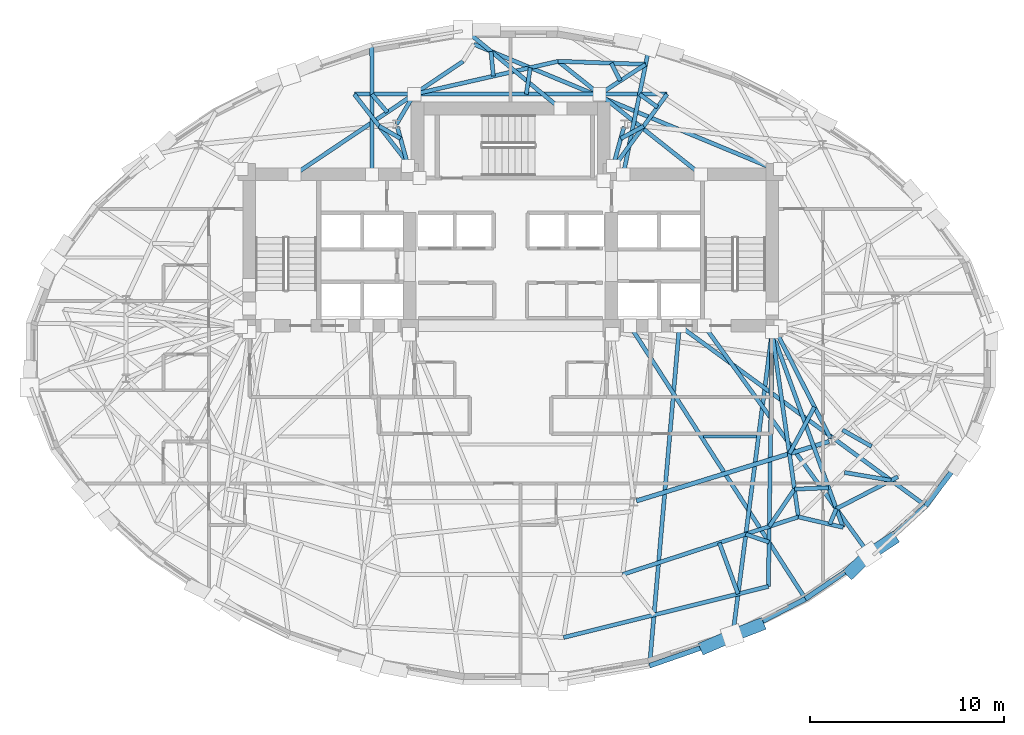
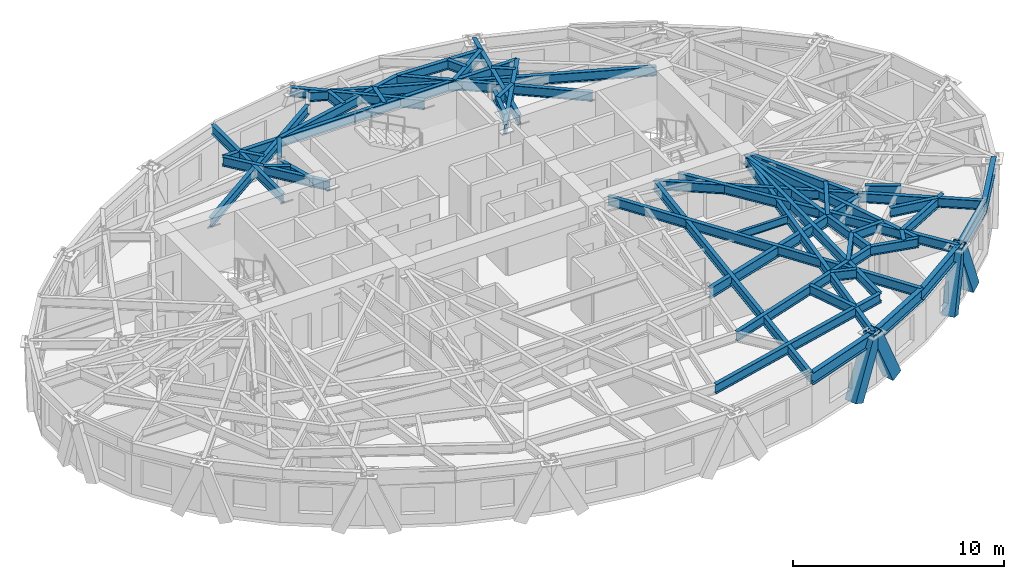
# One storey, part 3 of 14: 50 beams, 4 members.
"""IFC4 building model written with IfcOpenShell, lengths in metres."""

from ifc_helpers import new_model, si_unit, direction, frame, origin, origin_2d, place, context, subcontext, project, spatial, hollow_rectangle, i_section, extrude, material, material_profile, profile_set, type_object, element, save


model = new_model("IFC4")

# Units and contexts
model_context = context("Model", 3, precision=1e-05, world=origin(), true_north=direction((0.0, 1.0)))
body_context = subcontext(model_context, "Body", "Model", "MODEL_VIEW")
ifc_project = project(units=[si_unit("LENGTHUNIT", "METRE"), si_unit("AREAUNIT", "SQUARE_METRE"), si_unit("VOLUMEUNIT", "CUBIC_METRE"), si_unit("PLANEANGLEUNIT", "RADIAN"), si_unit("MASSUNIT", "GRAM", prefix="KILO")], contexts=[model_context])

# Site, building, storey
site_placement = place(None, origin())
site = spatial("IfcSite", under=ifc_project, at=site_placement, CompositionType="ELEMENT")
building_placement = place(site_placement, origin())
building = spatial("IfcBuilding", under=site, at=building_placement, Name="Keldmark Tower", CompositionType="ELEMENT")
storey_placement = place(building_placement, frame((0.0, 0.0, 172.60009765625)))
storey = spatial("IfcBuildingStorey", under=building, at=storey_placement, Name="L47", CompositionType="ELEMENT", Elevation=172.60009765625)

# Beam
ifc_material_1 = material(Name="Steel ASTM A992 Grade 50", Category="steel")
ifc_material_profile_1 = material_profile(ifc_material_1, i_section(OverallWidth=0.153076171875, OverallDepth=0.455078125, WebThickness=0.008056640625, FlangeThickness=0.01318359375, at=origin_2d()), Name="W18X40")
ifc_profile_set_1 = profile_set([ifc_material_profile_1], Name="Steel ASTM A992 Grade 50")
beam_type_1 = type_object("IfcBeamType", Name="Composite Floor Joist W18X40", PredefinedType="JOIST", material=ifc_profile_set_1)
beam_1_placement = place(storey_placement, frame((9.93115234375, -4.179931640625, 2.79248046875), z_axis=(1.0, 0.0, 0.0), x_axis=(0.0, 1.0, 0.0)))
element("IfcBeam", 1, at=beam_1_placement, inside=storey, type_object=beam_type_1, Name="L47 Composite Floor Joist J04", PredefinedType="JOIST", context=body_context, shape_type="SweptSolid", body=[
    extrude(i_section(OverallWidth=0.153076171875, OverallDepth=0.455078125, WebThickness=0.008056640625, FlangeThickness=0.01318359375, at=origin_2d()), origin(), (0.0, 0.0, 1.0), 2.74951171875),
])

# Members
ifc_material_2 = material(Name="Steel ASTM A572 Grade 50", Category="steel")
ifc_material_profile_2 = material_profile(ifc_material_2, hollow_rectangle(XDim=0.64990234375, YDim=0.64990234375, WallThickness=0.0400390625, at=origin_2d()), Name="BOX650X650X40")
ifc_profile_set_2 = profile_set([ifc_material_profile_2], Name="Steel ASTM A572 Grade 50")
member_type = type_object("IfcMemberType", Name="Diagrid Zone 3 Brace BOX650X650X40", PredefinedType="BRACE", material=ifc_profile_set_2)
member_1_placement = place(storey_placement, frame((10.05810546875, -15.033447265625, -0.260009765625), z_axis=(0.390561707764, 0.167163768187, 0.905272239182), x_axis=(-0.393482114759, 0.919332271469, 0.0)))
element("IfcMember", 2, at=member_1_placement, inside=storey, type_object=member_type, Name="L47 Perimeter Diagrid Brace 13B", PredefinedType="BRACE", context=body_context, shape_type="SweptSolid", body=[
    extrude(hollow_rectangle(XDim=0.64990234375, YDim=0.64990234375, WallThickness=0.0400390625, at=origin_2d()), origin(), (0.0, 0.0, 1.0), 3.490478515625),
])
member_2_placement = place(storey_placement, frame((12.776611328125, -13.921630859375, -0.260009765625), z_axis=(-0.392185371465, -0.15292145828, 0.907086358626), x_axis=(0.363281691145, -0.931679350892, 0.0)))
element("IfcMember", 3, at=member_2_placement, inside=storey, type_object=member_type, Name="L47 Perimeter Diagrid Brace 14A", PredefinedType="BRACE", context=body_context, shape_type="SweptSolid", body=[
    extrude(hollow_rectangle(XDim=0.64990234375, YDim=0.64990234375, WallThickness=0.0400390625, at=origin_2d()), origin(), (0.0, 0.0, 1.0), 3.483642578125),
])
member_3_placement = place(storey_placement, frame((17.5673828125, -11.12939453125, -0.260009765625), z_axis=(0.267682370823, 0.256992294904, 0.928601695406), x_axis=(-0.692555975601, 0.72136413874, 0.0)))
element("IfcMember", 4, at=member_3_placement, inside=storey, type_object=member_type, Name="L47 Perimeter Diagrid Brace 14B", PredefinedType="BRACE", context=body_context, shape_type="SweptSolid", body=[
    extrude(hollow_rectangle(XDim=0.64990234375, YDim=0.64990234375, WallThickness=0.0400390625, at=origin_2d()), origin(), (0.0, 0.0, 1.0), 3.40283203125),
])
member_4_placement = place(storey_placement, frame((19.623291015625, -9.5107421875, -0.260009765625), z_axis=(-0.334593004746, -0.218292895984, 0.916731003478), x_axis=(0.546408382315, -0.837518883211, 0.0)))
element("IfcMember", 5, at=member_4_placement, inside=storey, type_object=member_type, Name="L47 Perimeter Diagrid Brace 15A", PredefinedType="BRACE", context=body_context, shape_type="SweptSolid", body=[
    extrude(hollow_rectangle(XDim=0.64990234375, YDim=0.64990234375, WallThickness=0.0400390625, at=origin_2d()), origin(), (0.0, 0.0, 1.0), 3.447021484375),
])

# Beams
ifc_material_3 = material(Name="Steel ASTM A992 Grade 50", Category="steel")
ifc_material_profile_3 = material_profile(ifc_material_3, i_section(OverallWidth=0.22900390625, OverallDepth=0.612060546875, WebThickness=0.011962890625, FlangeThickness=0.01953125, at=origin_2d()), Name="W24X84")
ifc_profile_set_3 = profile_set([ifc_material_profile_3], Name="Steel ASTM A992 Grade 50")
beam_type_2 = type_object("IfcBeamType", Name="Primary Floor Girder W24X84", PredefinedType="BEAM", material=ifc_profile_set_3)
beam_2_placement = place(storey_placement, frame((6.485107421875, -7.5048828125, 2.7138671875), z_axis=(0.955494563145, 0.295008711398, 0.0), x_axis=(-0.295008711398, 0.955494563145, 0.0)))
element("IfcBeam", 6, at=beam_2_placement, inside=storey, type_object=beam_type_2, Name="L47 Floor Ring Girder FG-R10", PredefinedType="BEAM", context=body_context, shape_type="SweptSolid", body=[
    extrude(i_section(OverallWidth=0.22900390625, OverallDepth=0.612060546875, WebThickness=0.011962890625, FlangeThickness=0.01953125, at=origin_2d()), origin(), (0.0, 0.0, 1.0), 10.39013671875),
])
ifc_material_4 = material(Name="Steel ASTM A992 Grade 50", Category="steel")
ifc_material_profile_4 = material_profile(ifc_material_4, i_section(OverallWidth=0.2099609375, OverallDepth=0.537109375, WebThickness=0.010986328125, FlangeThickness=0.017333984375, at=origin_2d()), Name="W21X68")
ifc_profile_set_4 = profile_set([ifc_material_profile_4], Name="Steel ASTM A992 Grade 50")
beam_type_3 = type_object("IfcBeamType", Name="Radial Tie Girder W21X68", PredefinedType="BEAM", material=ifc_profile_set_4)
for number, where, z_axis, x_axis, name in (
    (7, (5.843017578125, 11.7802734375, 2.75146484375), (-0.265992411, -0.963975122755, 0.0), (0.963975122755, -0.265992411, 0.0), "L47 Floor Radial Girder FG-C03"),
    (8, (-5.843017578125, 11.7802734375, 2.75146484375), (0.265992411, -0.963975122755, 0.0), (0.963975122755, 0.265992411, 0.0), "L47 Floor Radial Girder FG-C04"),
):
    element("IfcBeam", number, at=place(storey_placement, frame(where, z_axis=z_axis, x_axis=x_axis)), inside=storey, type_object=beam_type_3, Name=name, PredefinedType="BEAM", context=body_context, shape_type="SweptSolid", body=[
        extrude(i_section(OverallWidth=0.2099609375, OverallDepth=0.537109375, WebThickness=0.010986328125, FlangeThickness=0.017333984375, at=origin_2d()), origin(), (0.0, 0.0, 1.0), 2.09716796875),
    ])
beam_3_placement = place(storey_placement, frame((16.4833984375, -4.273681640625, 2.75146484375), z_axis=(-0.453036691775, 0.891491870914, 0.0), x_axis=(-0.891491870914, -0.453036691775, 0.0)))
element("IfcBeam", 9, at=beam_3_placement, inside=storey, type_object=beam_type_3, Name="L47 Floor Radial Girder FG-C11", PredefinedType="BEAM", context=body_context, shape_type="SweptSolid", body=[
    extrude(i_section(OverallWidth=0.2099609375, OverallDepth=0.537109375, WebThickness=0.010986328125, FlangeThickness=0.017333984375, at=origin_2d()), origin(), (0.0, 0.0, 1.0), 6.044189453125),
])
beam_4_placement = place(storey_placement, frame((5.675537109375, 11.173828125, 2.75146484375), z_axis=(0.879231743918, 0.47639431198, 0.0), x_axis=(-0.47639431198, 0.879231743918, 0.0)))
element("IfcBeam", 10, at=beam_4_placement, inside=storey, type_object=beam_type_3, Name="L47 Framing Pin Header PH-001", PredefinedType="BEAM", context=body_context, shape_type="SweptSolid", body=[
    extrude(i_section(OverallWidth=0.2099609375, OverallDepth=0.537109375, WebThickness=0.010986328125, FlangeThickness=0.017333984375, at=origin_2d()), origin(), (0.0, 0.0, 1.0), 1.34423828125),
])
beam_5_placement = place(storey_placement, frame((4.800048828125, 9.0, 2.75146484375), z_axis=(0.590150611017, 0.807293166276, 0.0), x_axis=(-0.807293166276, 0.590150611017, 0.0)))
element("IfcBeam", 11, at=beam_5_placement, inside=storey, type_object=beam_type_3, Name="L47 Sub-Ring Step Girder STP1-M02", PredefinedType="BEAM", context=body_context, shape_type="SweptSolid", body=[
    extrude(i_section(OverallWidth=0.2099609375, OverallDepth=0.537109375, WebThickness=0.010986328125, FlangeThickness=0.017333984375, at=origin_2d()), origin(), (0.0, 0.0, 1.0), 5.526123046875),
])
beam_6_placement = place(storey_placement, frame((-5.675537109375, 11.173828125, 2.75146484375), z_axis=(-0.86369623553, 0.504012710883, 0.0), x_axis=(-0.504012710883, -0.86369623553, 0.0)))
element("IfcBeam", 12, at=beam_6_placement, inside=storey, type_object=beam_type_3, Name="L47 Framing Pin Header PH-002", PredefinedType="BEAM", context=body_context, shape_type="SweptSolid", body=[
    extrude(i_section(OverallWidth=0.2099609375, OverallDepth=0.537109375, WebThickness=0.010986328125, FlangeThickness=0.017333984375, at=origin_2d()), origin(), (0.0, 0.0, 1.0), 1.28564453125),
])
beam_7_placement = place(storey_placement, frame((-4.699951171875, 9.139892578125, 2.75146484375), z_axis=(-0.613977660612, 0.789323401572, 0.0), x_axis=(-0.789323401572, -0.613977660612, 0.0)))
element("IfcBeam", 13, at=beam_7_placement, inside=storey, type_object=beam_type_3, Name="L47 Sub-Ring Step Girder STP1-M05", PredefinedType="BEAM", context=body_context, shape_type="SweptSolid", body=[
    extrude(i_section(OverallWidth=0.2099609375, OverallDepth=0.537109375, WebThickness=0.010986328125, FlangeThickness=0.017333984375, at=origin_2d()), origin(), (0.0, 0.0, 1.0), 5.474609375),
])
beam_8_placement = place(storey_placement, frame((15.661865234375, -2.6572265625, 2.75146484375), z_axis=(-0.472216463821, -0.881482621097, 0.0), x_axis=(0.881482621097, -0.472216463821, 0.0)))
element("IfcBeam", 14, at=beam_8_placement, inside=storey, type_object=beam_type_3, Name="L47 Framing Pin Header PH-007", PredefinedType="BEAM", context=body_context, shape_type="SweptSolid", body=[
    extrude(i_section(OverallWidth=0.2099609375, OverallDepth=0.537109375, WebThickness=0.010986328125, FlangeThickness=0.017333984375, at=origin_2d()), origin(), (0.0, 0.0, 1.0), 2.738037109375),
])
beam_9_placement = place(storey_placement, frame((13.47509765625, 1.199951171875, 2.75146484375), z_axis=(0.141130161361, -0.989991049229, 0.0), x_axis=(0.989991049229, 0.141130161361, 0.0)))
element("IfcBeam", 15, at=beam_9_placement, inside=storey, type_object=beam_type_3, Name="L47 Sub-Ring Step Girder STP1-M11", PredefinedType="BEAM", context=body_context, shape_type="SweptSolid", body=[
    extrude(i_section(OverallWidth=0.2099609375, OverallDepth=0.537109375, WebThickness=0.010986328125, FlangeThickness=0.017333984375, at=origin_2d()), origin(), (0.0, 0.0, 1.0), 9.625244140625),
])
beam_10_placement = place(storey_placement, frame((8.061279296875, 13.461181640625, 2.75146484375), z_axis=(-1.0, 0.0, 0.0), x_axis=(0.0, -1.0, 0.0)))
element("IfcBeam", 16, at=beam_10_placement, inside=storey, type_object=beam_type_3, Name="L47 Perimeter Collector Ring Beam CRG1-M02", PredefinedType="BEAM", context=body_context, shape_type="SweptSolid", body=[
    extrude(i_section(OverallWidth=0.2099609375, OverallDepth=0.537109375, WebThickness=0.010986328125, FlangeThickness=0.017333984375, at=origin_2d()), origin(), (0.0, 0.0, 1.0), 16.12255859375),
])
beam_11_placement = place(storey_placement, frame((5.77734375, -11.294921875, 2.75146484375), z_axis=(0.950327843465, 0.311250686641, 0.0), x_axis=(-0.311250686641, 0.950327843465, 0.0)))
element("IfcBeam", 17, at=beam_11_placement, inside=storey, type_object=beam_type_3, Name="L47 Perimeter Collector Ring Beam CRG1-M10", PredefinedType="BEAM", context=body_context, shape_type="SweptSolid", body=[
    extrude(i_section(OverallWidth=0.2099609375, OverallDepth=0.537109375, WebThickness=0.010986328125, FlangeThickness=0.017333984375, at=origin_2d()), origin(), (0.0, 0.0, 1.0), 9.529541015625),
])
beam_12_placement = place(storey_placement, frame((14.629638671875, -6.8994140625, 2.75146484375), z_axis=(-0.560319981777, -0.82827623292, 0.0), x_axis=(0.82827623292, -0.560319981777, 0.0)))
element("IfcBeam", 18, at=beam_12_placement, inside=storey, type_object=beam_type_3, Name="L47 Framing Pin Header PH-013", PredefinedType="BEAM", context=body_context, shape_type="SweptSolid", body=[
    extrude(i_section(OverallWidth=0.2099609375, OverallDepth=0.537109375, WebThickness=0.010986328125, FlangeThickness=0.017333984375, at=origin_2d()), origin(), (0.0, 0.0, 1.0), 2.320556640625),
])
beam_13_placement = place(storey_placement, frame((13.47509765625, 1.199951171875, 2.75146484375), z_axis=(-0.014558400349, -0.999894020874, 0.0), x_axis=(0.999894020874, -0.014558400349, 0.0)))
element("IfcBeam", 19, at=beam_13_placement, inside=storey, type_object=beam_type_3, Name="L47 Sub-Ring Step Girder STP2-M11", PredefinedType="BEAM", context=body_context, shape_type="SweptSolid", body=[
    extrude(i_section(OverallWidth=0.2099609375, OverallDepth=0.537109375, WebThickness=0.010986328125, FlangeThickness=0.017333984375, at=origin_2d()), origin(), (0.0, 0.0, 1.0), 13.114013671875),
])
beam_14_placement = place(storey_placement, frame((2.728515625, -14.544921875, 2.75146484375), z_axis=(0.970284902679, 0.241965302541, 0.0), x_axis=(-0.241965302541, 0.970284902679, 0.0)))
element("IfcBeam", 20, at=beam_14_placement, inside=storey, type_object=beam_type_3, Name="L47 Perimeter Collector Ring Beam CRG2-M10", PredefinedType="BEAM", context=body_context, shape_type="SweptSolid", body=[
    extrude(i_section(OverallWidth=0.2099609375, OverallDepth=0.537109375, WebThickness=0.010986328125, FlangeThickness=0.017333984375, at=origin_2d()), origin(), (0.0, 0.0, 1.0), 10.87890625),
])
beam_15_placement = place(storey_placement, frame((7.572021484375, 12.7919921875, 2.75146484375), z_axis=(-0.810808718203, 0.585311218487, 0.0), x_axis=(-0.585311218487, -0.810808718203, 0.0)))
element("IfcBeam", 21, at=beam_15_placement, inside=storey, type_object=beam_type_3, Name="L47 Framing Pin Header PH-018", PredefinedType="BEAM", context=body_context, shape_type="SweptSolid", body=[
    extrude(i_section(OverallWidth=0.2099609375, OverallDepth=0.537109375, WebThickness=0.010986328125, FlangeThickness=0.017333984375, at=origin_2d()), origin(), (0.0, 0.0, 1.0), 1.143310546875),
])
beam_16_placement = place(storey_placement, frame((5.80712890625, 9.324951171875, 2.75146484375), z_axis=(0.198562849301, 0.980088156687, 0.0), x_axis=(-0.980088156687, 0.198562849301, 0.0)))
element("IfcBeam", 22, at=beam_16_placement, inside=storey, type_object=beam_type_3, Name="L47 Perimeter Radial Tie Girder RT-07", PredefinedType="BEAM", context=body_context, shape_type="SweptSolid", body=[
    extrude(i_section(OverallWidth=0.2099609375, OverallDepth=0.537109375, WebThickness=0.010986328125, FlangeThickness=0.017333984375, at=origin_2d()), origin(), (0.0, 0.0, 1.0), 6.810302734375),
])
beam_17_placement = place(storey_placement, frame((6.95654296875, 14.99853515625, 2.75146484375), z_axis=(-0.839066810669, -0.54402838826, 0.0), x_axis=(0.54402838826, -0.839066810669, 0.0)))
element("IfcBeam", 23, at=beam_17_placement, inside=storey, type_object=beam_type_3, Name="L47 Framing Pin Header PH-019", PredefinedType="BEAM", context=body_context, shape_type="SweptSolid", body=[
    extrude(i_section(OverallWidth=0.2099609375, OverallDepth=0.537109375, WebThickness=0.010986328125, FlangeThickness=0.017333984375, at=origin_2d()), origin(), (0.0, 0.0, 1.0), 2.825927734375),
])
beam_18_placement = place(storey_placement, frame((9.8037109375, 9.324951171875, 2.75146484375), z_axis=(-0.783667514852, 0.62118051013, 0.0), x_axis=(-0.62118051013, -0.783667514852, 0.0)))
element("IfcBeam", 24, at=beam_18_placement, inside=storey, type_object=beam_type_3, Name="L47 Intermediate Radial Step Girder RT-08M", PredefinedType="BEAM", context=body_context, shape_type="SweptSolid", body=[
    extrude(i_section(OverallWidth=0.2099609375, OverallDepth=0.537109375, WebThickness=0.010986328125, FlangeThickness=0.017333984375, at=origin_2d()), origin(), (0.0, 0.0, 1.0), 9.38623046875),
])
beam_19_placement = place(storey_placement, frame((6.95654296875, 14.99853515625, 2.75146484375), z_axis=(-0.999394373901, 0.034797778871, 0.0), x_axis=(-0.034797778871, -0.999394373901, 0.0)))
element("IfcBeam", 25, at=beam_19_placement, inside=storey, type_object=beam_type_3, Name="L47 Local Collector Chord RT-08C", PredefinedType="BEAM", context=body_context, shape_type="SweptSolid", body=[
    extrude(i_section(OverallWidth=0.2099609375, OverallDepth=0.537109375, WebThickness=0.010986328125, FlangeThickness=0.017333984375, at=origin_2d()), origin(), (0.0, 0.0, 1.0), 4.51123046875),
])
beam_20_placement = place(storey_placement, frame((5.652587890625, 14.153076171875, 2.75146484375), z_axis=(-0.454963231285, 0.890510223511, 0.0), x_axis=(-0.890510223511, -0.454963231285, 0.0)))
element("IfcBeam", 26, at=beam_20_placement, inside=storey, type_object=beam_type_3, Name="L47 Framing Pin Header PH-020", PredefinedType="BEAM", context=body_context, shape_type="SweptSolid", body=[
    extrude(i_section(OverallWidth=0.2099609375, OverallDepth=0.537109375, WebThickness=0.010986328125, FlangeThickness=0.017333984375, at=origin_2d()), origin(), (0.0, 0.0, 1.0), 1.0185546875),
])
beam_21_placement = place(storey_placement, frame((-5.880126953125, 11.915283203125, 2.75146484375), z_axis=(0.506341487531, 0.86233305515, 0.0), x_axis=(-0.86233305515, 0.506341487531, 0.0)))
element("IfcBeam", 27, at=beam_21_placement, inside=storey, type_object=beam_type_3, Name="L47 Framing Pin Header PH-021", PredefinedType="BEAM", context=body_context, shape_type="SweptSolid", body=[
    extrude(i_section(OverallWidth=0.2099609375, OverallDepth=0.537109375, WebThickness=0.010986328125, FlangeThickness=0.017333984375, at=origin_2d()), origin(), (0.0, 0.0, 1.0), 1.792724609375),
])
beam_22_placement = place(storey_placement, frame((-11.1357421875, 9.324951171875, 2.75146484375), z_axis=(0.830337585436, 0.557260705786, 0.0), x_axis=(-0.557260705786, 0.830337585436, 0.0)))
element("IfcBeam", 28, at=beam_22_placement, inside=storey, type_object=beam_type_3, Name="L47 Intermediate Radial Step Girder RT-09M", PredefinedType="BEAM", context=body_context, shape_type="SweptSolid", body=[
    extrude(i_section(OverallWidth=0.2099609375, OverallDepth=0.537109375, WebThickness=0.010986328125, FlangeThickness=0.017333984375, at=origin_2d()), origin(), (0.0, 0.0, 1.0), 10.462890625),
])
beam_23_placement = place(storey_placement, frame((-6.357421875, 12.53173828125, 2.75146484375), z_axis=(-0.649738350225, 0.76015792849, 0.0), x_axis=(-0.76015792849, -0.649738350225, 0.0)))
element("IfcBeam", 29, at=beam_23_placement, inside=storey, type_object=beam_type_3, Name="L47 Framing Pin Header PH-022", PredefinedType="BEAM", context=body_context, shape_type="SweptSolid", body=[
    extrude(i_section(OverallWidth=0.2099609375, OverallDepth=0.537109375, WebThickness=0.010986328125, FlangeThickness=0.017333984375, at=origin_2d()), origin(), (0.0, 0.0, 1.0), 1.22265625),
])
beam_24_placement = place(storey_placement, frame((-7.139404296875, 9.324951171875, 2.75146484375), z_axis=(-0.002999254981, 0.999995502225, 0.0), x_axis=(-0.999995502225, -0.002999254981, 0.0)))
element("IfcBeam", 30, at=beam_24_placement, inside=storey, type_object=beam_type_3, Name="L47 Perimeter Radial Tie Girder RT-10", PredefinedType="BEAM", context=body_context, shape_type="SweptSolid", body=[
    extrude(i_section(OverallWidth=0.2099609375, OverallDepth=0.537109375, WebThickness=0.010986328125, FlangeThickness=0.017333984375, at=origin_2d()), origin(), (0.0, 0.0, 1.0), 6.6748046875),
])
beam_25_placement = place(storey_placement, frame((8.699951171875, 1.52490234375, 2.75146484375), z_axis=(-0.087568577951, -0.996158493492, 0.0), x_axis=(0.996158493492, -0.087568577951, 0.0)))
element("IfcBeam", 31, at=beam_25_placement, inside=storey, type_object=beam_type_3, Name="L47 Perimeter Radial Tie Girder RT-26", PredefinedType="BEAM", context=body_context, shape_type="SweptSolid", body=[
    extrude(i_section(OverallWidth=0.2099609375, OverallDepth=0.537109375, WebThickness=0.010986328125, FlangeThickness=0.017333984375, at=origin_2d()), origin(), (0.0, 0.0, 1.0), 17.59228515625),
])
beam_26_placement = place(storey_placement, frame((10.75830078125, -9.66357421875, 2.75146484375), z_axis=(0.343960984524, -0.938983940824, 0.0), x_axis=(0.938983940824, 0.343960984524, 0.0)))
element("IfcBeam", 32, at=beam_26_placement, inside=storey, type_object=beam_type_3, Name="L47 Framing Pin Header PH-037", PredefinedType="BEAM", context=body_context, shape_type="SweptSolid", body=[
    extrude(i_section(OverallWidth=0.2099609375, OverallDepth=0.537109375, WebThickness=0.010986328125, FlangeThickness=0.017333984375, at=origin_2d()), origin(), (0.0, 0.0, 1.0), 2.809326171875),
])
beam_27_placement = place(storey_placement, frame((13.47509765625, 1.199951171875, 2.75146484375), z_axis=(-0.128569468775, -0.991700505041, 0.0), x_axis=(0.991700505041, -0.128569468775, 0.0)))
element("IfcBeam", 33, at=beam_27_placement, inside=storey, type_object=beam_type_3, Name="L47 Perimeter Radial Tie Girder RT-27", PredefinedType="BEAM", context=body_context, shape_type="SweptSolid", body=[
    extrude(i_section(OverallWidth=0.2099609375, OverallDepth=0.537109375, WebThickness=0.010986328125, FlangeThickness=0.017333984375, at=origin_2d()), origin(), (0.0, 0.0, 1.0), 15.838623046875),
])
beam_28_placement = place(storey_placement, frame((12.11669921875, -9.21875, 2.75146484375), z_axis=(0.946309663512, -0.323261536133, 0.0), x_axis=(0.323261536133, 0.946309663512, 0.0)))
element("IfcBeam", 34, at=beam_28_placement, inside=storey, type_object=beam_type_3, Name="L47 Framing Pin Header PH-038", PredefinedType="BEAM", context=body_context, shape_type="SweptSolid", body=[
    extrude(i_section(OverallWidth=0.2099609375, OverallDepth=0.537109375, WebThickness=0.010986328125, FlangeThickness=0.017333984375, at=origin_2d()), origin(), (0.0, 0.0, 1.0), 1.268798828125),
])
beam_29_placement = place(storey_placement, frame((6.14990234375, 1.52490234375, 2.75146484375), z_axis=(0.540611575581, -0.841272324725, 0.0), x_axis=(0.841272324725, 0.540611575581, 0.0)))
element("IfcBeam", 35, at=beam_29_placement, inside=storey, type_object=beam_type_3, Name="L47 Perimeter Radial Tie Girder RT-28", PredefinedType="BEAM", context=body_context, shape_type="SweptSolid", body=[
    extrude(i_section(OverallWidth=0.2099609375, OverallDepth=0.537109375, WebThickness=0.010986328125, FlangeThickness=0.017333984375, at=origin_2d()), origin(), (0.0, 0.0, 1.0), 16.733154296875),
])
beam_30_placement = place(storey_placement, frame((14.629638671875, -6.8994140625, 2.75146484375), z_axis=(0.999127793147, 0.04175707079, 0.0), x_axis=(-0.04175707079, 0.999127793147, 0.0)))
element("IfcBeam", 36, at=beam_30_placement, inside=storey, type_object=beam_type_3, Name="L47 Framing Pin Header PH-039", PredefinedType="BEAM", context=body_context, shape_type="SweptSolid", body=[
    extrude(i_section(OverallWidth=0.2099609375, OverallDepth=0.537109375, WebThickness=0.010986328125, FlangeThickness=0.017333984375, at=origin_2d()), origin(), (0.0, 0.0, 1.0), 1.765625),
])
beam_31_placement = place(storey_placement, frame((13.47509765625, 1.199951171875, 2.75146484375), z_axis=(0.341779652377, -0.939780117486, 0.0), x_axis=(0.939780117486, 0.341779652377, 0.0)))
element("IfcBeam", 37, at=beam_31_placement, inside=storey, type_object=beam_type_3, Name="L47 Intermediate Radial Step Girder RT-29M", PredefinedType="BEAM", context=body_context, shape_type="SweptSolid", body=[
    extrude(i_section(OverallWidth=0.2099609375, OverallDepth=0.537109375, WebThickness=0.010986328125, FlangeThickness=0.017333984375, at=origin_2d()), origin(), (0.0, 0.0, 1.0), 10.71484375),
])
beam_32_placement = place(storey_placement, frame((14.83349609375, -8.328857421875, 2.75146484375), z_axis=(0.973537458296, -0.228527497894, 0.0), x_axis=(0.228527497894, 0.973537458296, 0.0)))
element("IfcBeam", 38, at=beam_32_placement, inside=storey, type_object=beam_type_3, Name="L47 Local Collector Chord RT-29C", PredefinedType="BEAM", context=body_context, shape_type="SweptSolid", body=[
    extrude(i_section(OverallWidth=0.2099609375, OverallDepth=0.537109375, WebThickness=0.010986328125, FlangeThickness=0.017333984375, at=origin_2d()), origin(), (0.0, 0.0, 1.0), 2.3662109375),
])
beam_33_placement = place(storey_placement, frame((16.446044921875, -8.70751953125, 2.75146484375), z_axis=(0.392055613274, 0.919941517761, 0.0), x_axis=(-0.919941517761, 0.392055613274, 0.0)))
element("IfcBeam", 39, at=beam_33_placement, inside=storey, type_object=beam_type_3, Name="L47 Framing Pin Header PH-040", PredefinedType="BEAM", context=body_context, shape_type="SweptSolid", body=[
    extrude(i_section(OverallWidth=0.2099609375, OverallDepth=0.537109375, WebThickness=0.010986328125, FlangeThickness=0.017333984375, at=origin_2d()), origin(), (0.0, 0.0, 1.0), 0.869873046875),
])
beam_34_placement = place(storey_placement, frame((9.97509765625, 1.52490234375, 2.75146484375), z_axis=(0.585488720754, -0.810680552295, 0.0), x_axis=(0.810680552295, 0.585488720754, 0.0)))
element("IfcBeam", 40, at=beam_34_placement, inside=storey, type_object=beam_type_3, Name="L47 Perimeter Radial Tie Girder RT-29", PredefinedType="BEAM", context=body_context, shape_type="SweptSolid", body=[
    extrude(i_section(OverallWidth=0.2099609375, OverallDepth=0.537109375, WebThickness=0.010986328125, FlangeThickness=0.017333984375, at=origin_2d()), origin(), (0.0, 0.0, 1.0), 14.588134765625),
])
beam_35_placement = place(storey_placement, frame((17.10888671875, -3.8486328125, 2.75146484375), z_axis=(0.869377490553, -0.494148539327, 0.0), x_axis=(0.494148539327, 0.869377490553, 0.0)))
element("IfcBeam", 41, at=beam_35_placement, inside=storey, type_object=beam_type_3, Name="L47 Framing Pin Header PH-041", PredefinedType="BEAM", context=body_context, shape_type="SweptSolid", body=[
    extrude(i_section(OverallWidth=0.2099609375, OverallDepth=0.537109375, WebThickness=0.010986328125, FlangeThickness=0.017333984375, at=origin_2d()), origin(), (0.0, 0.0, 1.0), 1.71826171875),
])
beam_36_placement = place(storey_placement, frame((16.787109375, -7.9072265625, 2.75146484375), z_axis=(0.88803123841, 0.459783122362, 0.0), x_axis=(-0.459783122362, 0.88803123841, 0.0)))
element("IfcBeam", 42, at=beam_36_placement, inside=storey, type_object=beam_type_3, Name="L47 Local Collector Chord RT-30C", PredefinedType="BEAM", context=body_context, shape_type="SweptSolid", body=[
    extrude(i_section(OverallWidth=0.2099609375, OverallDepth=0.537109375, WebThickness=0.010986328125, FlangeThickness=0.017333984375, at=origin_2d()), origin(), (0.0, 0.0, 1.0), 3.57666015625),
])
beam_37_placement = place(storey_placement, frame((17.210205078125, -6.039306640625, 2.75146484375), z_axis=(0.985951161443, -0.167033850611, 0.0), x_axis=(0.167033850611, 0.985951161443, 0.0)))
element("IfcBeam", 43, at=beam_37_placement, inside=storey, type_object=beam_type_3, Name="L47 Framing Pin Header PH-042", PredefinedType="BEAM", context=body_context, shape_type="SweptSolid", body=[
    extrude(i_section(OverallWidth=0.2099609375, OverallDepth=0.537109375, WebThickness=0.010986328125, FlangeThickness=0.017333984375, at=origin_2d()), origin(), (0.0, 0.0, 1.0), 2.43359375),
])
beam_38_placement = place(storey_placement, frame((8.699951171875, 1.52490234375, 2.75146484375), z_axis=(0.807445436703, -0.589942257131, 0.0), x_axis=(0.589942257131, 0.807445436703, 0.0)))
element("IfcBeam", 44, at=beam_38_placement, inside=storey, type_object=beam_type_3, Name="L47 Perimeter Radial Tie Girder RT-30", PredefinedType="BEAM", context=body_context, shape_type="SweptSolid", body=[
    extrude(i_section(OverallWidth=0.2099609375, OverallDepth=0.537109375, WebThickness=0.010986328125, FlangeThickness=0.017333984375, at=origin_2d()), origin(), (0.0, 0.0, 1.0), 15.729248046875),
])
beam_39_placement = place(storey_placement, frame((2.447998046875, 15.155517578125, 2.75146484375), z_axis=(-0.974908648351, -0.222605317482, 0.0), x_axis=(0.222605317482, -0.974908648351, 0.0)))
element("IfcBeam", 45, at=beam_39_placement, inside=storey, type_object=beam_type_3, Name="L47 Straddling Support Chord RT-09RB", PredefinedType="BEAM", context=body_context, shape_type="SweptSolid", body=[
    extrude(i_section(OverallWidth=0.2099609375, OverallDepth=0.537109375, WebThickness=0.010986328125, FlangeThickness=0.017333984375, at=origin_2d()), origin(), (0.0, 0.0, 1.0), 7.611328125),
])
beam_40_placement = place(storey_placement, frame((0.80615234375, 13.461181640625, 2.75146484375), z_axis=(0.148962564471, 0.988842836039, 0.0), x_axis=(-0.988842836039, 0.148962564471, 0.0)))
element("IfcBeam", 46, at=beam_40_placement, inside=storey, type_object=beam_type_3, Name="L47 Framing Pin Header PH-045", PredefinedType="BEAM", context=body_context, shape_type="SweptSolid", body=[
    extrude(i_section(OverallWidth=0.2099609375, OverallDepth=0.537109375, WebThickness=0.010986328125, FlangeThickness=0.017333984375, at=origin_2d()), origin(), (0.0, 0.0, 1.0), 1.381591796875),
])
beam_41_placement = place(storey_placement, frame((13.47509765625, 9.64990234375, 2.75146484375), z_axis=(-0.923482967683, 0.383639424981, 0.0), x_axis=(-0.383639424981, -0.923482967683, 0.0)))
element("IfcBeam", 47, at=beam_41_placement, inside=storey, type_object=beam_type_3, Name="L47 Crown Step Radial Girder RT-09RN2", PredefinedType="BEAM", context=body_context, shape_type="SweptSolid", body=[
    extrude(i_section(OverallWidth=0.2099609375, OverallDepth=0.537109375, WebThickness=0.010986328125, FlangeThickness=0.017333984375, at=origin_2d()), origin(), (0.0, 0.0, 1.0), 16.64697265625),
])
beam_42_placement = place(storey_placement, frame((-0.89111328125, 14.39306640625, 2.75146484375), z_axis=(-0.09578860812, 0.995401699092, 0.0), x_axis=(-0.995401699092, -0.09578860812, 0.0)))
element("IfcBeam", 48, at=beam_42_placement, inside=storey, type_object=beam_type_3, Name="L47 Framing Pin Header PH-046", PredefinedType="BEAM", context=body_context, shape_type="SweptSolid", body=[
    extrude(i_section(OverallWidth=0.2099609375, OverallDepth=0.537109375, WebThickness=0.010986328125, FlangeThickness=0.017333984375, at=origin_2d()), origin(), (0.0, 0.0, 1.0), 1.281982421875),
])
beam_43_placement = place(storey_placement, frame((2.5625, 12.72509765625, 2.75146484375), z_axis=(-0.772064872818, 0.635543729542, 0.0), x_axis=(-0.635543729542, -0.772064872818, 0.0)))
element("IfcBeam", 49, at=beam_43_placement, inside=storey, type_object=beam_type_3, Name="L47 Perimeter Radial Tie Girder RT-09R", PredefinedType="BEAM", context=body_context, shape_type="SweptSolid", body=[
    extrude(i_section(OverallWidth=0.2099609375, OverallDepth=0.537109375, WebThickness=0.010986328125, FlangeThickness=0.017333984375, at=origin_2d()), origin(), (0.0, 0.0, 1.0), 6.48974609375),
])
ifc_material_5 = material(Name="Steel ASTM A992 Grade 50", Category="steel")
ifc_material_profile_5 = material_profile(ifc_material_5, i_section(OverallWidth=0.256103515625, OverallDepth=0.693115234375, WebThickness=0.014404296875, FlangeThickness=0.023681640625, at=origin_2d()), Name="W27X114")
ifc_profile_set_5 = profile_set([ifc_material_profile_5], Name="Steel ASTM A992 Grade 50")
beam_type_4 = type_object("IfcBeamType", Name="Spandrel Ring Beam W27X114", PredefinedType="SPANDREL", material=ifc_profile_set_5)
beam_44_placement = place(storey_placement, frame((7.159423828125, -15.999755859375, 2.67333984375), z_axis=(0.944223944927, 0.329304026434, 0.0), x_axis=(-0.329304026434, 0.944223944927, 0.0)))
element("IfcBeam", 50, at=beam_44_placement, inside=storey, type_object=beam_type_4, Name="L47 Perimeter Spandrel Ring Beam SRB-26", PredefinedType="SPANDREL", context=body_context, shape_type="SweptSolid", body=[
    extrude(i_section(OverallWidth=0.256103515625, OverallDepth=0.693115234375, WebThickness=0.014404296875, FlangeThickness=0.023681640625, at=origin_2d()), origin(), (0.0, 0.0, 1.0), 4.531982421875),
])
beam_45_placement = place(storey_placement, frame((11.438720703125, -14.50732421875, 2.67333984375), z_axis=(0.887094083226, 0.461588656171, 0.0), x_axis=(-0.461588656171, 0.887094083226, 0.0)))
element("IfcBeam", 51, at=beam_45_placement, inside=storey, type_object=beam_type_4, Name="L47 Perimeter Spandrel Ring Beam SRB-27", PredefinedType="SPANDREL", context=body_context, shape_type="SweptSolid", body=[
    extrude(i_section(OverallWidth=0.256103515625, OverallDepth=0.693115234375, WebThickness=0.014404296875, FlangeThickness=0.023681640625, at=origin_2d()), origin(), (0.0, 0.0, 1.0), 4.235595703125),
])
beam_46_placement = place(storey_placement, frame((15.196044921875, -12.55224609375, 2.67333984375), z_axis=(0.827746348969, 0.561102469937, 0.0), x_axis=(-0.561102469937, 0.827746348969, 0.0)))
element("IfcBeam", 52, at=beam_46_placement, inside=storey, type_object=beam_type_4, Name="L47 Perimeter Spandrel Ring Beam SRB-28", PredefinedType="SPANDREL", context=body_context, shape_type="SweptSolid", body=[
    extrude(i_section(OverallWidth=0.256103515625, OverallDepth=0.693115234375, WebThickness=0.014404296875, FlangeThickness=0.023681640625, at=origin_2d()), origin(), (0.0, 0.0, 1.0), 4.01123046875),
])
beam_47_placement = place(storey_placement, frame((18.516357421875, -10.301513671875, 2.67333984375), z_axis=(0.749530401757, 0.661969921403, 0.0), x_axis=(-0.661969921403, 0.749530401757, 0.0)))
element("IfcBeam", 53, at=beam_47_placement, inside=storey, type_object=beam_type_4, Name="L47 Perimeter Spandrel Ring Beam SRB-29", PredefinedType="SPANDREL", context=body_context, shape_type="SweptSolid", body=[
    extrude(i_section(OverallWidth=0.256103515625, OverallDepth=0.693115234375, WebThickness=0.014404296875, FlangeThickness=0.023681640625, at=origin_2d()), origin(), (0.0, 0.0, 1.0), 3.847900390625),
])
beam_48_placement = place(storey_placement, frame((21.400390625, -7.75439453125, 2.67333984375), z_axis=(0.604517065871, 0.796592189939, 0.0), x_axis=(-0.796592189939, 0.604517065871, 0.0)))
element("IfcBeam", 54, at=beam_48_placement, inside=storey, type_object=beam_type_4, Name="L47 Perimeter Spandrel Ring Beam SRB-30", PredefinedType="SPANDREL", context=body_context, shape_type="SweptSolid", body=[
    extrude(i_section(OverallWidth=0.256103515625, OverallDepth=0.693115234375, WebThickness=0.014404296875, FlangeThickness=0.023681640625, at=origin_2d()), origin(), (0.0, 0.0, 1.0), 3.6416015625),
])

save(model, "model.ifc")
